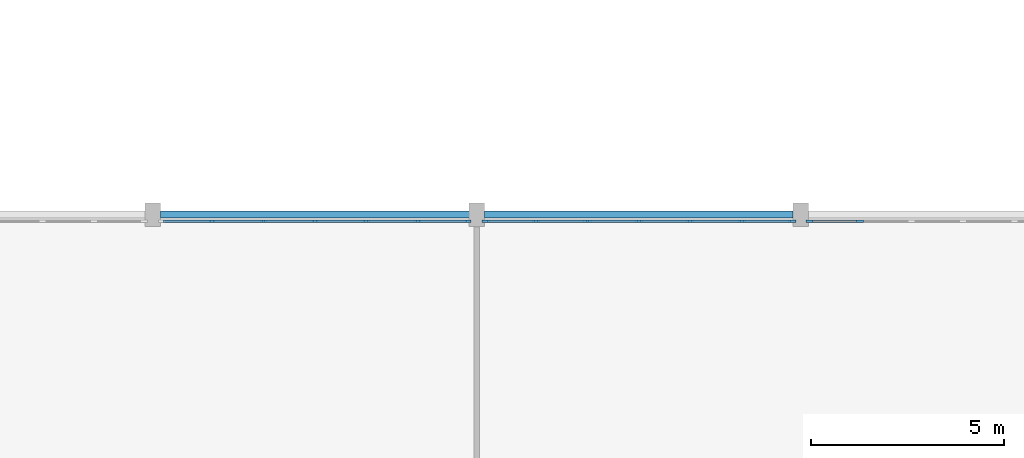
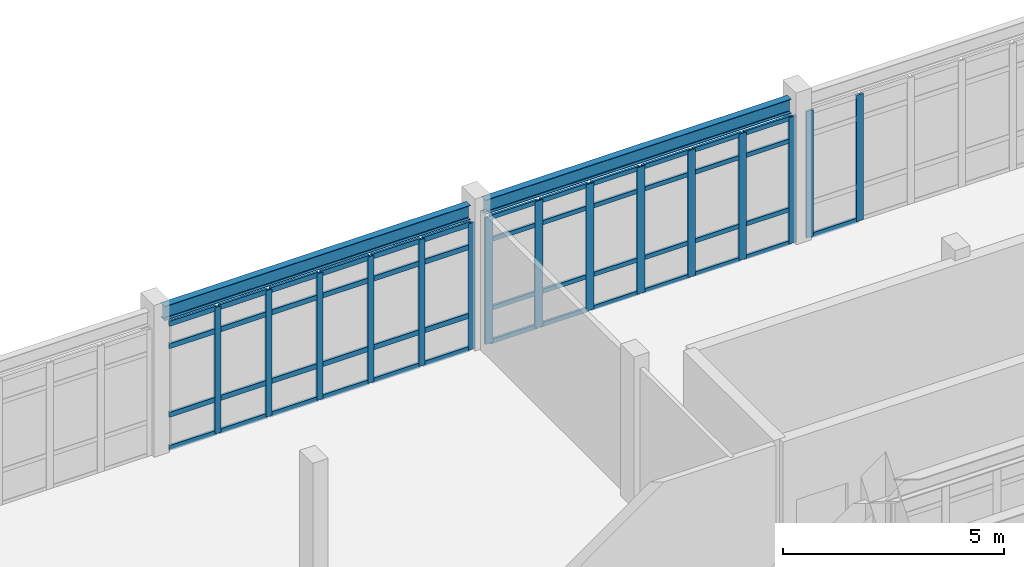
# One storey, part 94 of 147: 64 members, 2 beams, 3 elements without a shape of their own.
"""IFC4 building model written with IfcOpenShell, lengths in metres."""

from ifc_helpers import new_model, si_unit, direction, frame, origin, origin_2d, place, context, subcontext, project, spatial, rectangle, i_section, extrude, material, material_profile, profile_set, type_object, element, aggregate, save


model = new_model("IFC4")

# Units and contexts
model_context = context("Model", 3, precision=1e-05, world=origin(), true_north=direction((0.0, 1.0)))
body_context = subcontext(model_context, "Body", "Model", "MODEL_VIEW")
ifc_project = project(units=[si_unit("LENGTHUNIT", "METRE"), si_unit("AREAUNIT", "SQUARE_METRE"), si_unit("VOLUMEUNIT", "CUBIC_METRE"), si_unit("PLANEANGLEUNIT", "RADIAN"), si_unit("MASSUNIT", "GRAM", prefix="KILO")], contexts=[model_context])

# Site, building, storey
site_placement = place(None, origin())
site = spatial("IfcSite", under=ifc_project, at=site_placement, CompositionType="ELEMENT")
building_placement = place(site_placement, origin())
building = spatial("IfcBuilding", under=site, at=building_placement, Name="Malvenik Polytechnic", CompositionType="ELEMENT")
storey_placement = place(building_placement, frame((0.0, 0.0, 5.10009765625)))
storey = spatial("IfcBuildingStorey", under=building, at=storey_placement, Name="L01", CompositionType="ELEMENT", Elevation=5.10009765625)

# Curtain wall, members
ifc_material_1 = material(Name="Anodised aluminium 6060-T6", Category="aluminium")
curtain_wall_type = type_object("IfcCurtainWallType", Name="ARC-CW-CW-02", PredefinedType="NOTDEFINED", material=ifc_material_1)
curtain_wall_1_placement = place(storey_placement, origin())
curtain_wall_1 = element("IfcCurtainWall", 1, at=curtain_wall_1_placement, inside=storey, type_object=curtain_wall_type, Name="Unitised Curtain Wall CW-02 L01 #68", PredefinedType="NOTDEFINED")
ifc_material_2 = material(Name="Anodised aluminium", Category="aluminium")
ifc_material_profile_1 = material_profile(ifc_material_2, rectangle(XDim=0.06005859375, YDim=0.159912109375, at=origin_2d()), Name="ALU MULLION 60x160")
ifc_profile_set_1 = profile_set([ifc_material_profile_1], Name="Anodised aluminium")
member_type_1 = type_object("IfcMemberType", Name="ARC-CWM-160", PredefinedType="MULLION", material=ifc_profile_set_1)
member_1_placement = place(storey_placement, frame((161.132080078125, 107.830078125, 0.0), z_axis=(0.0, 0.0, 1.0), x_axis=(0.0, 1.0, 0.0)))
member_1 = element("IfcMember", 2, at=member_1_placement, type_object=member_type_1, Name="CW-02 mullion 2", PredefinedType="MULLION", context=body_context, shape_type="SweptSolid", body=[
    extrude(rectangle(XDim=0.06005859375, YDim=0.159912109375, at=origin_2d()), origin(), (0.0, 0.0, 1.0), 3.497802734375),
])
member_2_placement = place(storey_placement, frame((162.466064453125, 107.830078125, 0.0), z_axis=(0.0, 0.0, 1.0), x_axis=(0.0, 1.0, 0.0)))
member_2 = element("IfcMember", 3, at=member_2_placement, type_object=member_type_1, Name="CW-02 mullion 3", PredefinedType="MULLION", context=body_context, shape_type="SweptSolid", body=[
    extrude(rectangle(XDim=0.06005859375, YDim=0.159912109375, at=origin_2d()), origin(), (0.0, 0.0, 1.0), 3.497802734375),
])
member_3_placement = place(storey_placement, frame((163.800048828125, 107.830078125, 0.0), z_axis=(0.0, 0.0, 1.0), x_axis=(0.0, 1.0, 0.0)))
member_3 = element("IfcMember", 4, at=member_3_placement, type_object=member_type_1, Name="CW-02 mullion 4", PredefinedType="MULLION", context=body_context, shape_type="SweptSolid", body=[
    extrude(rectangle(XDim=0.06005859375, YDim=0.159912109375, at=origin_2d()), origin(), (0.0, 0.0, 1.0), 3.497802734375),
])
member_4_placement = place(storey_placement, frame((165.134033203125, 107.830078125, 0.0), z_axis=(0.0, 0.0, 1.0), x_axis=(0.0, 1.0, 0.0)))
member_4 = element("IfcMember", 5, at=member_4_placement, type_object=member_type_1, Name="CW-02 mullion 5", PredefinedType="MULLION", context=body_context, shape_type="SweptSolid", body=[
    extrude(rectangle(XDim=0.06005859375, YDim=0.159912109375, at=origin_2d()), origin(), (0.0, 0.0, 1.0), 3.497802734375),
])
member_5_placement = place(storey_placement, frame((166.468017578125, 107.830078125, 0.0), z_axis=(0.0, 0.0, 1.0), x_axis=(0.0, 1.0, 0.0)))
member_5 = element("IfcMember", 6, at=member_5_placement, type_object=member_type_1, Name="CW-02 mullion 6", PredefinedType="MULLION", context=body_context, shape_type="SweptSolid", body=[
    extrude(rectangle(XDim=0.06005859375, YDim=0.159912109375, at=origin_2d()), origin(), (0.0, 0.0, 1.0), 3.497802734375),
])
member_6_placement = place(storey_placement, frame((167.77197265625, 107.830078125, 0.0), z_axis=(0.0, 0.0, 1.0), x_axis=(0.0, 1.0, 0.0)))
member_6 = element("IfcMember", 7, at=member_6_placement, type_object=member_type_1, Name="CW-02 mullion 7", PredefinedType="MULLION", context=body_context, shape_type="SweptSolid", body=[
    extrude(rectangle(XDim=0.06005859375, YDim=0.159912109375, at=origin_2d()), origin(), (0.0, 0.0, 1.0), 3.497802734375),
])

curtain_wall_2_placement = place(storey_placement, origin())
curtain_wall_2 = element("IfcCurtainWall", 8, at=curtain_wall_2_placement, inside=storey, type_object=curtain_wall_type, Name="Unitised Curtain Wall CW-02 L01 #70", PredefinedType="NOTDEFINED")
ifc_material_profile_2 = material_profile(ifc_material_2, rectangle(XDim=0.06005859375, YDim=0.179931640625, at=origin_2d()), Name="ALU MULLION 60x180")
ifc_profile_set_2 = profile_set([ifc_material_profile_2], Name="Anodised aluminium")
member_type_2 = type_object("IfcMemberType", Name="ARC-CWM-180", PredefinedType="MULLION", material=ifc_profile_set_2)
member_7_placement = place(storey_placement, frame((176.6279296875, 107.830078125, 0.0), z_axis=(0.0, 0.0, 1.0), x_axis=(0.0, 1.0, 0.0)))
member_7 = element("IfcMember", 9, at=member_7_placement, type_object=member_type_2, Name="CW-02 mullion 1", PredefinedType="MULLION", context=body_context, shape_type="SweptSolid", body=[
    extrude(rectangle(XDim=0.06005859375, YDim=0.179931640625, at=origin_2d()), origin(), (0.0, 0.0, 1.0), 3.497802734375),
])
member_8_placement = place(storey_placement, frame((177.931884765625, 107.830078125, 0.0), z_axis=(0.0, 0.0, 1.0), x_axis=(0.0, 1.0, 0.0)))
member_8 = element("IfcMember", 10, at=member_8_placement, type_object=member_type_2, Name="CW-02 mullion 2", PredefinedType="MULLION", context=body_context, shape_type="SweptSolid", body=[
    extrude(rectangle(XDim=0.06005859375, YDim=0.179931640625, at=origin_2d()), origin(), (0.0, 0.0, 1.0), 3.497802734375),
])

curtain_wall_3_placement = place(storey_placement, origin())
curtain_wall_3 = element("IfcCurtainWall", 11, at=curtain_wall_3_placement, inside=storey, type_object=curtain_wall_type, Name="Unitised Curtain Wall CW-02 L01 #69", PredefinedType="NOTDEFINED")
ifc_material_profile_3 = material_profile(ifc_material_2, rectangle(XDim=0.06005859375, YDim=0.199951171875, at=origin_2d()), Name="ALU MULLION 60x200")
ifc_profile_set_3 = profile_set([ifc_material_profile_3], Name="Anodised aluminium")
member_type_3 = type_object("IfcMemberType", Name="ARC-CWM-200", PredefinedType="MULLION", material=ifc_profile_set_3)
member_9_placement = place(storey_placement, frame((168.22802734375, 107.830078125, 0.0), z_axis=(0.0, 0.0, 1.0), x_axis=(0.0, 1.0, 0.0)))
member_9 = element("IfcMember", 12, at=member_9_placement, type_object=member_type_3, Name="CW-02 mullion 1", PredefinedType="MULLION", context=body_context, shape_type="SweptSolid", body=[
    extrude(rectangle(XDim=0.06005859375, YDim=0.199951171875, at=origin_2d()), origin(), (0.0, 0.0, 1.0), 3.497802734375),
])
member_10_placement = place(storey_placement, frame((169.531982421875, 107.830078125, 0.0), z_axis=(0.0, 0.0, 1.0), x_axis=(0.0, 1.0, 0.0)))
member_10 = element("IfcMember", 13, at=member_10_placement, type_object=member_type_3, Name="CW-02 mullion 2", PredefinedType="MULLION", context=body_context, shape_type="SweptSolid", body=[
    extrude(rectangle(XDim=0.06005859375, YDim=0.199951171875, at=origin_2d()), origin(), (0.0, 0.0, 1.0), 3.497802734375),
])
member_11_placement = place(storey_placement, frame((170.865966796875, 107.830078125, 0.0), z_axis=(0.0, 0.0, 1.0), x_axis=(0.0, 1.0, 0.0)))
member_11 = element("IfcMember", 14, at=member_11_placement, type_object=member_type_3, Name="CW-02 mullion 3", PredefinedType="MULLION", context=body_context, shape_type="SweptSolid", body=[
    extrude(rectangle(XDim=0.06005859375, YDim=0.199951171875, at=origin_2d()), origin(), (0.0, 0.0, 1.0), 3.497802734375),
])
member_12_placement = place(storey_placement, frame((172.199951171875, 107.830078125, 0.0), z_axis=(0.0, 0.0, 1.0), x_axis=(0.0, 1.0, 0.0)))
member_12 = element("IfcMember", 15, at=member_12_placement, type_object=member_type_3, Name="CW-02 mullion 4", PredefinedType="MULLION", context=body_context, shape_type="SweptSolid", body=[
    extrude(rectangle(XDim=0.06005859375, YDim=0.199951171875, at=origin_2d()), origin(), (0.0, 0.0, 1.0), 3.497802734375),
])
member_13_placement = place(storey_placement, frame((173.533935546875, 107.830078125, 0.0), z_axis=(0.0, 0.0, 1.0), x_axis=(0.0, 1.0, 0.0)))
member_13 = element("IfcMember", 16, at=member_13_placement, type_object=member_type_3, Name="CW-02 mullion 5", PredefinedType="MULLION", context=body_context, shape_type="SweptSolid", body=[
    extrude(rectangle(XDim=0.06005859375, YDim=0.199951171875, at=origin_2d()), origin(), (0.0, 0.0, 1.0), 3.497802734375),
])
member_14_placement = place(storey_placement, frame((174.867919921875, 107.830078125, 0.0), z_axis=(0.0, 0.0, 1.0), x_axis=(0.0, 1.0, 0.0)))
member_14 = element("IfcMember", 17, at=member_14_placement, type_object=member_type_3, Name="CW-02 mullion 6", PredefinedType="MULLION", context=body_context, shape_type="SweptSolid", body=[
    extrude(rectangle(XDim=0.06005859375, YDim=0.199951171875, at=origin_2d()), origin(), (0.0, 0.0, 1.0), 3.497802734375),
])
member_15_placement = place(storey_placement, frame((176.172119140625, 107.830078125, 0.0), z_axis=(0.0, 0.0, 1.0), x_axis=(0.0, 1.0, 0.0)))
member_15 = element("IfcMember", 18, at=member_15_placement, type_object=member_type_3, Name="CW-02 mullion 7", PredefinedType="MULLION", context=body_context, shape_type="SweptSolid", body=[
    extrude(rectangle(XDim=0.06005859375, YDim=0.199951171875, at=origin_2d()), origin(), (0.0, 0.0, 1.0), 3.497802734375),
])
ifc_material_profile_4 = material_profile(ifc_material_2, rectangle(XDim=0.06005859375, YDim=0.1201171875, at=origin_2d()), Name="ALU TRANSOM 60x120")
ifc_profile_set_4 = profile_set([ifc_material_profile_4], Name="Anodised aluminium")
member_type_4 = type_object("IfcMemberType", Name="ARC-CWT-120", PredefinedType="USERDEFINED", material=ifc_profile_set_4)
member_16_placement = place(storey_placement, frame((168.258056640625, 107.830078125, 0.02978515625), z_axis=(1.0, 0.0, 0.0), x_axis=(0.0, 1.0, 0.0)))
member_16 = element("IfcMember", 19, at=member_16_placement, type_object=member_type_4, Name="CW-02 transom 1.1", ObjectType="TRANSOM", PredefinedType="USERDEFINED", context=body_context, shape_type="SweptSolid", body=[
    extrude(rectangle(XDim=0.06005859375, YDim=0.1201171875, at=origin_2d()), origin(), (0.0, 0.0, 1.0), 1.243896484375),
])
member_17_placement = place(storey_placement, frame((168.258056640625, 107.830078125, 0.949951171875), z_axis=(1.0, 0.0, 0.0), x_axis=(0.0, 1.0, 0.0)))
member_17 = element("IfcMember", 20, at=member_17_placement, type_object=member_type_4, Name="CW-02 transom 1.2", ObjectType="TRANSOM", PredefinedType="USERDEFINED", context=body_context, shape_type="SweptSolid", body=[
    extrude(rectangle(XDim=0.06005859375, YDim=0.1201171875, at=origin_2d()), origin(), (0.0, 0.0, 1.0), 1.243896484375),
])
member_18_placement = place(storey_placement, frame((168.258056640625, 107.830078125, 2.847900390625), z_axis=(1.0, 0.0, 0.0), x_axis=(0.0, 1.0, 0.0)))
member_18 = element("IfcMember", 21, at=member_18_placement, type_object=member_type_4, Name="CW-02 transom 1.3", ObjectType="TRANSOM", PredefinedType="USERDEFINED", context=body_context, shape_type="SweptSolid", body=[
    extrude(rectangle(XDim=0.06005859375, YDim=0.1201171875, at=origin_2d()), origin(), (0.0, 0.0, 1.0), 1.243896484375),
])
member_19_placement = place(storey_placement, frame((168.258056640625, 107.830078125, 3.468017578125), z_axis=(1.0, 0.0, 0.0), x_axis=(0.0, 1.0, 0.0)))
member_19 = element("IfcMember", 22, at=member_19_placement, type_object=member_type_4, Name="CW-02 transom 1.4", ObjectType="TRANSOM", PredefinedType="USERDEFINED", context=body_context, shape_type="SweptSolid", body=[
    extrude(rectangle(XDim=0.06005859375, YDim=0.1201171875, at=origin_2d()), origin(), (0.0, 0.0, 1.0), 1.243896484375),
])
member_20_placement = place(storey_placement, frame((169.56201171875, 107.830078125, 0.02978515625), z_axis=(1.0, 0.0, 0.0), x_axis=(0.0, 1.0, 0.0)))
member_20 = element("IfcMember", 23, at=member_20_placement, type_object=member_type_4, Name="CW-02 transom 2.1", ObjectType="TRANSOM", PredefinedType="USERDEFINED", context=body_context, shape_type="SweptSolid", body=[
    extrude(rectangle(XDim=0.06005859375, YDim=0.1201171875, at=origin_2d()), origin(), (0.0, 0.0, 1.0), 1.27392578125),
])
member_21_placement = place(storey_placement, frame((169.56201171875, 107.830078125, 0.949951171875), z_axis=(1.0, 0.0, 0.0), x_axis=(0.0, 1.0, 0.0)))
member_21 = element("IfcMember", 24, at=member_21_placement, type_object=member_type_4, Name="CW-02 transom 2.2", ObjectType="TRANSOM", PredefinedType="USERDEFINED", context=body_context, shape_type="SweptSolid", body=[
    extrude(rectangle(XDim=0.06005859375, YDim=0.1201171875, at=origin_2d()), origin(), (0.0, 0.0, 1.0), 1.27392578125),
])
member_22_placement = place(storey_placement, frame((169.56201171875, 107.830078125, 2.847900390625), z_axis=(1.0, 0.0, 0.0), x_axis=(0.0, 1.0, 0.0)))
member_22 = element("IfcMember", 25, at=member_22_placement, type_object=member_type_4, Name="CW-02 transom 2.3", ObjectType="TRANSOM", PredefinedType="USERDEFINED", context=body_context, shape_type="SweptSolid", body=[
    extrude(rectangle(XDim=0.06005859375, YDim=0.1201171875, at=origin_2d()), origin(), (0.0, 0.0, 1.0), 1.27392578125),
])
member_23_placement = place(storey_placement, frame((169.56201171875, 107.830078125, 3.468017578125), z_axis=(1.0, 0.0, 0.0), x_axis=(0.0, 1.0, 0.0)))
member_23 = element("IfcMember", 26, at=member_23_placement, type_object=member_type_4, Name="CW-02 transom 2.4", ObjectType="TRANSOM", PredefinedType="USERDEFINED", context=body_context, shape_type="SweptSolid", body=[
    extrude(rectangle(XDim=0.06005859375, YDim=0.1201171875, at=origin_2d()), origin(), (0.0, 0.0, 1.0), 1.27392578125),
])
member_24_placement = place(storey_placement, frame((170.89599609375, 107.830078125, 0.02978515625), z_axis=(1.0, 0.0, 0.0), x_axis=(0.0, 1.0, 0.0)))
member_24 = element("IfcMember", 27, at=member_24_placement, type_object=member_type_4, Name="CW-02 transom 3.1", ObjectType="TRANSOM", PredefinedType="USERDEFINED", context=body_context, shape_type="SweptSolid", body=[
    extrude(rectangle(XDim=0.06005859375, YDim=0.1201171875, at=origin_2d()), origin(), (0.0, 0.0, 1.0), 1.27392578125),
])
member_25_placement = place(storey_placement, frame((170.89599609375, 107.830078125, 0.949951171875), z_axis=(1.0, 0.0, 0.0), x_axis=(0.0, 1.0, 0.0)))
member_25 = element("IfcMember", 28, at=member_25_placement, type_object=member_type_4, Name="CW-02 transom 3.2", ObjectType="TRANSOM", PredefinedType="USERDEFINED", context=body_context, shape_type="SweptSolid", body=[
    extrude(rectangle(XDim=0.06005859375, YDim=0.1201171875, at=origin_2d()), origin(), (0.0, 0.0, 1.0), 1.27392578125),
])
member_26_placement = place(storey_placement, frame((170.89599609375, 107.830078125, 2.847900390625), z_axis=(1.0, 0.0, 0.0), x_axis=(0.0, 1.0, 0.0)))
member_26 = element("IfcMember", 29, at=member_26_placement, type_object=member_type_4, Name="CW-02 transom 3.3", ObjectType="TRANSOM", PredefinedType="USERDEFINED", context=body_context, shape_type="SweptSolid", body=[
    extrude(rectangle(XDim=0.06005859375, YDim=0.1201171875, at=origin_2d()), origin(), (0.0, 0.0, 1.0), 1.27392578125),
])
member_27_placement = place(storey_placement, frame((170.89599609375, 107.830078125, 3.468017578125), z_axis=(1.0, 0.0, 0.0), x_axis=(0.0, 1.0, 0.0)))
member_27 = element("IfcMember", 30, at=member_27_placement, type_object=member_type_4, Name="CW-02 transom 3.4", ObjectType="TRANSOM", PredefinedType="USERDEFINED", context=body_context, shape_type="SweptSolid", body=[
    extrude(rectangle(XDim=0.06005859375, YDim=0.1201171875, at=origin_2d()), origin(), (0.0, 0.0, 1.0), 1.27392578125),
])
member_28_placement = place(storey_placement, frame((172.22998046875, 107.830078125, 0.02978515625), z_axis=(1.0, 0.0, 0.0), x_axis=(0.0, 1.0, 0.0)))
member_28 = element("IfcMember", 31, at=member_28_placement, type_object=member_type_4, Name="CW-02 transom 4.1", ObjectType="TRANSOM", PredefinedType="USERDEFINED", context=body_context, shape_type="SweptSolid", body=[
    extrude(rectangle(XDim=0.06005859375, YDim=0.1201171875, at=origin_2d()), origin(), (0.0, 0.0, 1.0), 1.27392578125),
])
member_29_placement = place(storey_placement, frame((172.22998046875, 107.830078125, 0.949951171875), z_axis=(1.0, 0.0, 0.0), x_axis=(0.0, 1.0, 0.0)))
member_29 = element("IfcMember", 32, at=member_29_placement, type_object=member_type_4, Name="CW-02 transom 4.2", ObjectType="TRANSOM", PredefinedType="USERDEFINED", context=body_context, shape_type="SweptSolid", body=[
    extrude(rectangle(XDim=0.06005859375, YDim=0.1201171875, at=origin_2d()), origin(), (0.0, 0.0, 1.0), 1.27392578125),
])
member_30_placement = place(storey_placement, frame((172.22998046875, 107.830078125, 2.847900390625), z_axis=(1.0, 0.0, 0.0), x_axis=(0.0, 1.0, 0.0)))
member_30 = element("IfcMember", 33, at=member_30_placement, type_object=member_type_4, Name="CW-02 transom 4.3", ObjectType="TRANSOM", PredefinedType="USERDEFINED", context=body_context, shape_type="SweptSolid", body=[
    extrude(rectangle(XDim=0.06005859375, YDim=0.1201171875, at=origin_2d()), origin(), (0.0, 0.0, 1.0), 1.27392578125),
])
member_31_placement = place(storey_placement, frame((172.22998046875, 107.830078125, 3.468017578125), z_axis=(1.0, 0.0, 0.0), x_axis=(0.0, 1.0, 0.0)))
member_31 = element("IfcMember", 34, at=member_31_placement, type_object=member_type_4, Name="CW-02 transom 4.4", ObjectType="TRANSOM", PredefinedType="USERDEFINED", context=body_context, shape_type="SweptSolid", body=[
    extrude(rectangle(XDim=0.06005859375, YDim=0.1201171875, at=origin_2d()), origin(), (0.0, 0.0, 1.0), 1.27392578125),
])
member_32_placement = place(storey_placement, frame((173.56396484375, 107.830078125, 0.02978515625), z_axis=(1.0, 0.0, 0.0), x_axis=(0.0, 1.0, 0.0)))
member_32 = element("IfcMember", 35, at=member_32_placement, type_object=member_type_4, Name="CW-02 transom 5.1", ObjectType="TRANSOM", PredefinedType="USERDEFINED", context=body_context, shape_type="SweptSolid", body=[
    extrude(rectangle(XDim=0.06005859375, YDim=0.1201171875, at=origin_2d()), origin(), (0.0, 0.0, 1.0), 1.27392578125),
])
member_33_placement = place(storey_placement, frame((173.56396484375, 107.830078125, 0.949951171875), z_axis=(1.0, 0.0, 0.0), x_axis=(0.0, 1.0, 0.0)))
member_33 = element("IfcMember", 36, at=member_33_placement, type_object=member_type_4, Name="CW-02 transom 5.2", ObjectType="TRANSOM", PredefinedType="USERDEFINED", context=body_context, shape_type="SweptSolid", body=[
    extrude(rectangle(XDim=0.06005859375, YDim=0.1201171875, at=origin_2d()), origin(), (0.0, 0.0, 1.0), 1.27392578125),
])
member_34_placement = place(storey_placement, frame((173.56396484375, 107.830078125, 2.847900390625), z_axis=(1.0, 0.0, 0.0), x_axis=(0.0, 1.0, 0.0)))
member_34 = element("IfcMember", 37, at=member_34_placement, type_object=member_type_4, Name="CW-02 transom 5.3", ObjectType="TRANSOM", PredefinedType="USERDEFINED", context=body_context, shape_type="SweptSolid", body=[
    extrude(rectangle(XDim=0.06005859375, YDim=0.1201171875, at=origin_2d()), origin(), (0.0, 0.0, 1.0), 1.27392578125),
])
member_35_placement = place(storey_placement, frame((173.56396484375, 107.830078125, 3.468017578125), z_axis=(1.0, 0.0, 0.0), x_axis=(0.0, 1.0, 0.0)))
member_35 = element("IfcMember", 38, at=member_35_placement, type_object=member_type_4, Name="CW-02 transom 5.4", ObjectType="TRANSOM", PredefinedType="USERDEFINED", context=body_context, shape_type="SweptSolid", body=[
    extrude(rectangle(XDim=0.06005859375, YDim=0.1201171875, at=origin_2d()), origin(), (0.0, 0.0, 1.0), 1.27392578125),
])
member_36_placement = place(storey_placement, frame((174.89794921875, 107.830078125, 0.02978515625), z_axis=(1.0, 0.0, 0.0), x_axis=(0.0, 1.0, 0.0)))
member_36 = element("IfcMember", 39, at=member_36_placement, type_object=member_type_4, Name="CW-02 transom 6.1", ObjectType="TRANSOM", PredefinedType="USERDEFINED", context=body_context, shape_type="SweptSolid", body=[
    extrude(rectangle(XDim=0.06005859375, YDim=0.1201171875, at=origin_2d()), origin(), (0.0, 0.0, 1.0), 1.244140625),
])
member_37_placement = place(storey_placement, frame((174.89794921875, 107.830078125, 0.949951171875), z_axis=(1.0, 0.0, 0.0), x_axis=(0.0, 1.0, 0.0)))
member_37 = element("IfcMember", 40, at=member_37_placement, type_object=member_type_4, Name="CW-02 transom 6.2", ObjectType="TRANSOM", PredefinedType="USERDEFINED", context=body_context, shape_type="SweptSolid", body=[
    extrude(rectangle(XDim=0.06005859375, YDim=0.1201171875, at=origin_2d()), origin(), (0.0, 0.0, 1.0), 1.244140625),
])
member_38_placement = place(storey_placement, frame((174.89794921875, 107.830078125, 2.847900390625), z_axis=(1.0, 0.0, 0.0), x_axis=(0.0, 1.0, 0.0)))
member_38 = element("IfcMember", 41, at=member_38_placement, type_object=member_type_4, Name="CW-02 transom 6.3", ObjectType="TRANSOM", PredefinedType="USERDEFINED", context=body_context, shape_type="SweptSolid", body=[
    extrude(rectangle(XDim=0.06005859375, YDim=0.1201171875, at=origin_2d()), origin(), (0.0, 0.0, 1.0), 1.244140625),
])
member_39_placement = place(storey_placement, frame((174.89794921875, 107.830078125, 3.468017578125), z_axis=(1.0, 0.0, 0.0), x_axis=(0.0, 1.0, 0.0)))
member_39 = element("IfcMember", 42, at=member_39_placement, type_object=member_type_4, Name="CW-02 transom 6.4", ObjectType="TRANSOM", PredefinedType="USERDEFINED", context=body_context, shape_type="SweptSolid", body=[
    extrude(rectangle(XDim=0.06005859375, YDim=0.1201171875, at=origin_2d()), origin(), (0.0, 0.0, 1.0), 1.244140625),
])
aggregate(curtain_wall_3, [member_9, member_10, member_11, member_12, member_13, member_14, member_15, member_16, member_17, member_18, member_19, member_20, member_21, member_22, member_23, member_24, member_25, member_26, member_27, member_28, member_29, member_30, member_31, member_32, member_33, member_34, member_35, member_36, member_37, member_38, member_39])

# Member
ifc_material_profile_5 = material_profile(ifc_material_2, rectangle(XDim=0.06005859375, YDim=0.139892578125, at=origin_2d()), Name="ALU TRANSOM 60x140")
ifc_profile_set_5 = profile_set([ifc_material_profile_5], Name="Anodised aluminium")
member_type_5 = type_object("IfcMemberType", Name="ARC-CWT-140", PredefinedType="USERDEFINED", material=ifc_profile_set_5)
member_40_placement = place(storey_placement, frame((159.85791015625, 107.830078125, 0.02978515625), z_axis=(1.0, 0.0, 0.0), x_axis=(0.0, 1.0, 0.0)))
member_40 = element("IfcMember", 43, at=member_40_placement, type_object=member_type_5, Name="CW-02 transom 1.1", ObjectType="TRANSOM", PredefinedType="USERDEFINED", context=body_context, shape_type="SweptSolid", body=[
    extrude(rectangle(XDim=0.06005859375, YDim=0.139892578125, at=origin_2d()), origin(), (0.0, 0.0, 1.0), 1.244140625),
])

member_41_placement = place(storey_placement, frame((159.85791015625, 107.830078125, 0.949951171875), z_axis=(1.0, 0.0, 0.0), x_axis=(0.0, 1.0, 0.0)))
member_41 = element("IfcMember", 44, at=member_41_placement, type_object=member_type_5, Name="CW-02 transom 1.2", ObjectType="TRANSOM", PredefinedType="USERDEFINED", context=body_context, shape_type="SweptSolid", body=[
    extrude(rectangle(XDim=0.06005859375, YDim=0.139892578125, at=origin_2d()), origin(), (0.0, 0.0, 1.0), 1.244140625),
])

member_42_placement = place(storey_placement, frame((159.85791015625, 107.830078125, 2.847900390625), z_axis=(1.0, 0.0, 0.0), x_axis=(0.0, 1.0, 0.0)))
member_42 = element("IfcMember", 45, at=member_42_placement, type_object=member_type_5, Name="CW-02 transom 1.3", ObjectType="TRANSOM", PredefinedType="USERDEFINED", context=body_context, shape_type="SweptSolid", body=[
    extrude(rectangle(XDim=0.06005859375, YDim=0.139892578125, at=origin_2d()), origin(), (0.0, 0.0, 1.0), 1.244140625),
])

member_43_placement = place(storey_placement, frame((159.85791015625, 107.830078125, 3.468017578125), z_axis=(1.0, 0.0, 0.0), x_axis=(0.0, 1.0, 0.0)))
member_43 = element("IfcMember", 46, at=member_43_placement, type_object=member_type_5, Name="CW-02 transom 1.4", ObjectType="TRANSOM", PredefinedType="USERDEFINED", context=body_context, shape_type="SweptSolid", body=[
    extrude(rectangle(XDim=0.06005859375, YDim=0.139892578125, at=origin_2d()), origin(), (0.0, 0.0, 1.0), 1.244140625),
])

member_44_placement = place(storey_placement, frame((161.162109375, 107.830078125, 0.02978515625), z_axis=(1.0, 0.0, 0.0), x_axis=(0.0, 1.0, 0.0)))
member_44 = element("IfcMember", 47, at=member_44_placement, type_object=member_type_5, Name="CW-02 transom 2.1", ObjectType="TRANSOM", PredefinedType="USERDEFINED", context=body_context, shape_type="SweptSolid", body=[
    extrude(rectangle(XDim=0.06005859375, YDim=0.139892578125, at=origin_2d()), origin(), (0.0, 0.0, 1.0), 1.27392578125),
])

member_45_placement = place(storey_placement, frame((161.162109375, 107.830078125, 0.949951171875), z_axis=(1.0, 0.0, 0.0), x_axis=(0.0, 1.0, 0.0)))
member_45 = element("IfcMember", 48, at=member_45_placement, type_object=member_type_5, Name="CW-02 transom 2.2", ObjectType="TRANSOM", PredefinedType="USERDEFINED", context=body_context, shape_type="SweptSolid", body=[
    extrude(rectangle(XDim=0.06005859375, YDim=0.139892578125, at=origin_2d()), origin(), (0.0, 0.0, 1.0), 1.27392578125),
])

member_46_placement = place(storey_placement, frame((161.162109375, 107.830078125, 2.847900390625), z_axis=(1.0, 0.0, 0.0), x_axis=(0.0, 1.0, 0.0)))
member_46 = element("IfcMember", 49, at=member_46_placement, type_object=member_type_5, Name="CW-02 transom 2.3", ObjectType="TRANSOM", PredefinedType="USERDEFINED", context=body_context, shape_type="SweptSolid", body=[
    extrude(rectangle(XDim=0.06005859375, YDim=0.139892578125, at=origin_2d()), origin(), (0.0, 0.0, 1.0), 1.27392578125),
])

member_47_placement = place(storey_placement, frame((161.162109375, 107.830078125, 3.468017578125), z_axis=(1.0, 0.0, 0.0), x_axis=(0.0, 1.0, 0.0)))
member_47 = element("IfcMember", 50, at=member_47_placement, type_object=member_type_5, Name="CW-02 transom 2.4", ObjectType="TRANSOM", PredefinedType="USERDEFINED", context=body_context, shape_type="SweptSolid", body=[
    extrude(rectangle(XDim=0.06005859375, YDim=0.139892578125, at=origin_2d()), origin(), (0.0, 0.0, 1.0), 1.27392578125),
])

member_48_placement = place(storey_placement, frame((162.49609375, 107.830078125, 0.02978515625), z_axis=(1.0, 0.0, 0.0), x_axis=(0.0, 1.0, 0.0)))
member_48 = element("IfcMember", 51, at=member_48_placement, type_object=member_type_5, Name="CW-02 transom 3.1", ObjectType="TRANSOM", PredefinedType="USERDEFINED", context=body_context, shape_type="SweptSolid", body=[
    extrude(rectangle(XDim=0.06005859375, YDim=0.139892578125, at=origin_2d()), origin(), (0.0, 0.0, 1.0), 1.27392578125),
])

member_49_placement = place(storey_placement, frame((162.49609375, 107.830078125, 0.949951171875), z_axis=(1.0, 0.0, 0.0), x_axis=(0.0, 1.0, 0.0)))
member_49 = element("IfcMember", 52, at=member_49_placement, type_object=member_type_5, Name="CW-02 transom 3.2", ObjectType="TRANSOM", PredefinedType="USERDEFINED", context=body_context, shape_type="SweptSolid", body=[
    extrude(rectangle(XDim=0.06005859375, YDim=0.139892578125, at=origin_2d()), origin(), (0.0, 0.0, 1.0), 1.27392578125),
])

member_50_placement = place(storey_placement, frame((162.49609375, 107.830078125, 2.847900390625), z_axis=(1.0, 0.0, 0.0), x_axis=(0.0, 1.0, 0.0)))
member_50 = element("IfcMember", 53, at=member_50_placement, type_object=member_type_5, Name="CW-02 transom 3.3", ObjectType="TRANSOM", PredefinedType="USERDEFINED", context=body_context, shape_type="SweptSolid", body=[
    extrude(rectangle(XDim=0.06005859375, YDim=0.139892578125, at=origin_2d()), origin(), (0.0, 0.0, 1.0), 1.27392578125),
])

member_51_placement = place(storey_placement, frame((162.49609375, 107.830078125, 3.468017578125), z_axis=(1.0, 0.0, 0.0), x_axis=(0.0, 1.0, 0.0)))
member_51 = element("IfcMember", 54, at=member_51_placement, type_object=member_type_5, Name="CW-02 transom 3.4", ObjectType="TRANSOM", PredefinedType="USERDEFINED", context=body_context, shape_type="SweptSolid", body=[
    extrude(rectangle(XDim=0.06005859375, YDim=0.139892578125, at=origin_2d()), origin(), (0.0, 0.0, 1.0), 1.27392578125),
])

member_52_placement = place(storey_placement, frame((163.830078125, 107.830078125, 0.02978515625), z_axis=(1.0, 0.0, 0.0), x_axis=(0.0, 1.0, 0.0)))
member_52 = element("IfcMember", 55, at=member_52_placement, type_object=member_type_5, Name="CW-02 transom 4.1", ObjectType="TRANSOM", PredefinedType="USERDEFINED", context=body_context, shape_type="SweptSolid", body=[
    extrude(rectangle(XDim=0.06005859375, YDim=0.139892578125, at=origin_2d()), origin(), (0.0, 0.0, 1.0), 1.27392578125),
])

member_53_placement = place(storey_placement, frame((163.830078125, 107.830078125, 0.949951171875), z_axis=(1.0, 0.0, 0.0), x_axis=(0.0, 1.0, 0.0)))
member_53 = element("IfcMember", 56, at=member_53_placement, type_object=member_type_5, Name="CW-02 transom 4.2", ObjectType="TRANSOM", PredefinedType="USERDEFINED", context=body_context, shape_type="SweptSolid", body=[
    extrude(rectangle(XDim=0.06005859375, YDim=0.139892578125, at=origin_2d()), origin(), (0.0, 0.0, 1.0), 1.27392578125),
])

member_54_placement = place(storey_placement, frame((163.830078125, 107.830078125, 2.847900390625), z_axis=(1.0, 0.0, 0.0), x_axis=(0.0, 1.0, 0.0)))
member_54 = element("IfcMember", 57, at=member_54_placement, type_object=member_type_5, Name="CW-02 transom 4.3", ObjectType="TRANSOM", PredefinedType="USERDEFINED", context=body_context, shape_type="SweptSolid", body=[
    extrude(rectangle(XDim=0.06005859375, YDim=0.139892578125, at=origin_2d()), origin(), (0.0, 0.0, 1.0), 1.27392578125),
])

member_55_placement = place(storey_placement, frame((163.830078125, 107.830078125, 3.468017578125), z_axis=(1.0, 0.0, 0.0), x_axis=(0.0, 1.0, 0.0)))
member_55 = element("IfcMember", 58, at=member_55_placement, type_object=member_type_5, Name="CW-02 transom 4.4", ObjectType="TRANSOM", PredefinedType="USERDEFINED", context=body_context, shape_type="SweptSolid", body=[
    extrude(rectangle(XDim=0.06005859375, YDim=0.139892578125, at=origin_2d()), origin(), (0.0, 0.0, 1.0), 1.27392578125),
])

member_56_placement = place(storey_placement, frame((165.1640625, 107.830078125, 0.02978515625), z_axis=(1.0, 0.0, 0.0), x_axis=(0.0, 1.0, 0.0)))
member_56 = element("IfcMember", 59, at=member_56_placement, type_object=member_type_5, Name="CW-02 transom 5.1", ObjectType="TRANSOM", PredefinedType="USERDEFINED", context=body_context, shape_type="SweptSolid", body=[
    extrude(rectangle(XDim=0.06005859375, YDim=0.139892578125, at=origin_2d()), origin(), (0.0, 0.0, 1.0), 1.27392578125),
])

member_57_placement = place(storey_placement, frame((165.1640625, 107.830078125, 0.949951171875), z_axis=(1.0, 0.0, 0.0), x_axis=(0.0, 1.0, 0.0)))
member_57 = element("IfcMember", 60, at=member_57_placement, type_object=member_type_5, Name="CW-02 transom 5.2", ObjectType="TRANSOM", PredefinedType="USERDEFINED", context=body_context, shape_type="SweptSolid", body=[
    extrude(rectangle(XDim=0.06005859375, YDim=0.139892578125, at=origin_2d()), origin(), (0.0, 0.0, 1.0), 1.27392578125),
])

member_58_placement = place(storey_placement, frame((165.1640625, 107.830078125, 2.847900390625), z_axis=(1.0, 0.0, 0.0), x_axis=(0.0, 1.0, 0.0)))
member_58 = element("IfcMember", 61, at=member_58_placement, type_object=member_type_5, Name="CW-02 transom 5.3", ObjectType="TRANSOM", PredefinedType="USERDEFINED", context=body_context, shape_type="SweptSolid", body=[
    extrude(rectangle(XDim=0.06005859375, YDim=0.139892578125, at=origin_2d()), origin(), (0.0, 0.0, 1.0), 1.27392578125),
])

member_59_placement = place(storey_placement, frame((165.1640625, 107.830078125, 3.468017578125), z_axis=(1.0, 0.0, 0.0), x_axis=(0.0, 1.0, 0.0)))
member_59 = element("IfcMember", 62, at=member_59_placement, type_object=member_type_5, Name="CW-02 transom 5.4", ObjectType="TRANSOM", PredefinedType="USERDEFINED", context=body_context, shape_type="SweptSolid", body=[
    extrude(rectangle(XDim=0.06005859375, YDim=0.139892578125, at=origin_2d()), origin(), (0.0, 0.0, 1.0), 1.27392578125),
])

member_60_placement = place(storey_placement, frame((166.498046875, 107.830078125, 0.02978515625), z_axis=(1.0, 0.0, 0.0), x_axis=(0.0, 1.0, 0.0)))
member_60 = element("IfcMember", 63, at=member_60_placement, type_object=member_type_5, Name="CW-02 transom 6.1", ObjectType="TRANSOM", PredefinedType="USERDEFINED", context=body_context, shape_type="SweptSolid", body=[
    extrude(rectangle(XDim=0.06005859375, YDim=0.139892578125, at=origin_2d()), origin(), (0.0, 0.0, 1.0), 1.243896484375),
])

member_61_placement = place(storey_placement, frame((166.498046875, 107.830078125, 0.949951171875), z_axis=(1.0, 0.0, 0.0), x_axis=(0.0, 1.0, 0.0)))
member_61 = element("IfcMember", 64, at=member_61_placement, type_object=member_type_5, Name="CW-02 transom 6.2", ObjectType="TRANSOM", PredefinedType="USERDEFINED", context=body_context, shape_type="SweptSolid", body=[
    extrude(rectangle(XDim=0.06005859375, YDim=0.139892578125, at=origin_2d()), origin(), (0.0, 0.0, 1.0), 1.243896484375),
])

member_62_placement = place(storey_placement, frame((166.498046875, 107.830078125, 2.847900390625), z_axis=(1.0, 0.0, 0.0), x_axis=(0.0, 1.0, 0.0)))
member_62 = element("IfcMember", 65, at=member_62_placement, type_object=member_type_5, Name="CW-02 transom 6.3", ObjectType="TRANSOM", PredefinedType="USERDEFINED", context=body_context, shape_type="SweptSolid", body=[
    extrude(rectangle(XDim=0.06005859375, YDim=0.139892578125, at=origin_2d()), origin(), (0.0, 0.0, 1.0), 1.243896484375),
])

member_63_placement = place(storey_placement, frame((166.498046875, 107.830078125, 3.468017578125), z_axis=(1.0, 0.0, 0.0), x_axis=(0.0, 1.0, 0.0)))
member_63 = element("IfcMember", 66, at=member_63_placement, type_object=member_type_5, Name="CW-02 transom 6.4", ObjectType="TRANSOM", PredefinedType="USERDEFINED", context=body_context, shape_type="SweptSolid", body=[
    extrude(rectangle(XDim=0.06005859375, YDim=0.139892578125, at=origin_2d()), origin(), (0.0, 0.0, 1.0), 1.243896484375),
])

aggregate(curtain_wall_1, [member_1, member_2, member_3, member_4, member_5, member_6, member_40, member_41, member_42, member_43, member_44, member_45, member_46, member_47, member_48, member_49, member_50, member_51, member_52, member_53, member_54, member_55, member_56, member_57, member_58, member_59, member_60, member_61, member_62, member_63])

member_64_placement = place(storey_placement, frame((176.657958984375, 107.830078125, 0.02978515625), z_axis=(1.0, 0.0, 0.0), x_axis=(0.0, 1.0, 0.0)))
member_64 = element("IfcMember", 67, at=member_64_placement, type_object=member_type_5, Name="CW-02 transom 1.1", ObjectType="TRANSOM", PredefinedType="USERDEFINED", context=body_context, shape_type="SweptSolid", body=[
    extrude(rectangle(XDim=0.06005859375, YDim=0.139892578125, at=origin_2d()), origin(), (0.0, 0.0, 1.0), 1.244140625),
])

aggregate(curtain_wall_2, [member_7, member_8, member_64])

# Beams
ifc_material_3 = material(Name="Steel S355", Category="steel")
ifc_material_profile_6 = material_profile(ifc_material_3, i_section(OverallWidth=0.179931640625, OverallDepth=0.39990234375, WebThickness=0.008544921875, FlangeThickness=0.013427734375, FilletRadius=0.02099609375, at=origin_2d()), Name="IPE 400")
ifc_profile_set_6 = profile_set([ifc_material_profile_6], Name="Steel S355")
beam_type = type_object("IfcBeamType", Name="STR-BM-SB-08", PredefinedType="JOIST", material=ifc_profile_set_6)
for number, where, z_axis, x_axis, name in (
    (68, (159.798095703125, 108.0, 3.7080078125), (1.0, 0.0, 0.0), (0.0, 1.0, 0.0), "Beam SB-08 #4"),
    (69, (168.197998046875, 108.0, 3.7080078125), (1.0, 0.0, 0.0), (0.0, 1.0, 0.0), "Beam SB-08 #5"),
):
    element("IfcBeam", number, at=place(storey_placement, frame(where, z_axis=z_axis, x_axis=x_axis)), inside=storey, type_object=beam_type, Name=name, PredefinedType="JOIST", context=body_context, shape_type="SweptSolid", body=[
        extrude(i_section(OverallWidth=0.179931640625, OverallDepth=0.39990234375, WebThickness=0.008544921875, FlangeThickness=0.013427734375, FilletRadius=0.02099609375, at=origin_2d()), origin(), (0.0, 0.0, 1.0), 8.00390625),
    ])

save(model, "model.ifc")
